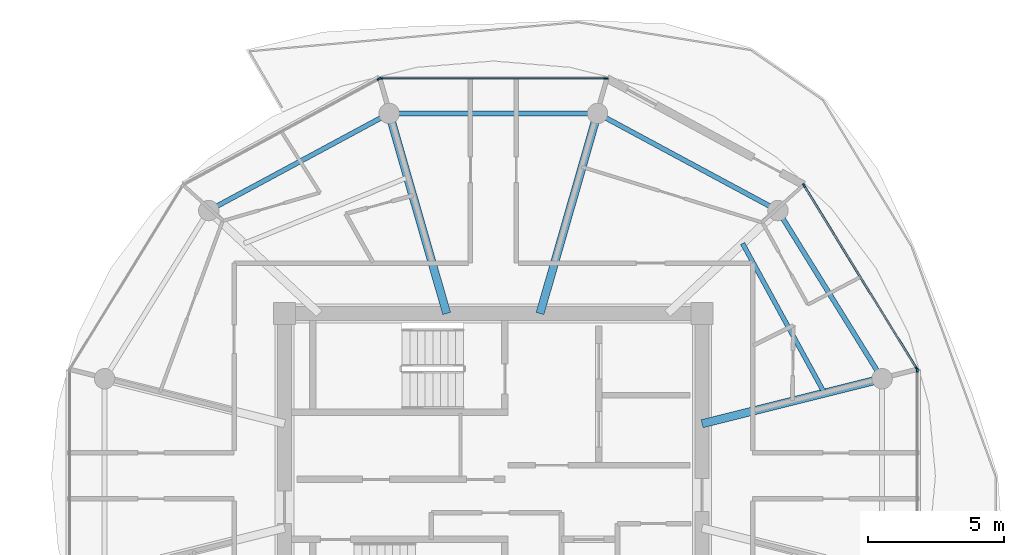
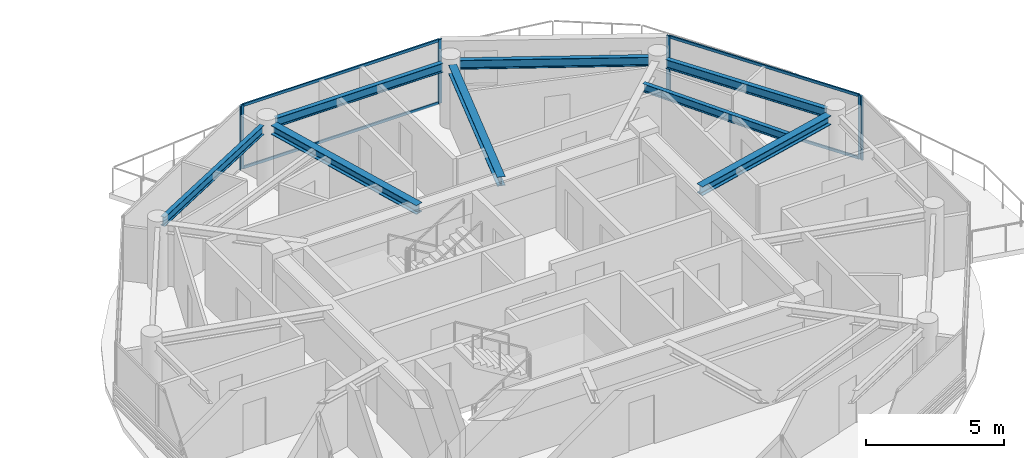
# One storey, part 7 of 19: 10 members, 8 beams, 4 elements without a shape of their own.
"""IFC4 building model written with IfcOpenShell, lengths in metres."""

from ifc_helpers import new_model, si_unit, direction, frame, origin, origin_2d, place, context, subcontext, project, spatial, rectangle, i_section, extrude, source, transform, mapped, material, layer, layer_set, material_profile, profile_set, type_object, type_shapes, element, aggregate, save


model = new_model("IFC4")

# Units and contexts
model_context = context("Model", 3, precision=1e-05, world=origin(), true_north=direction((0.0, 1.0)))
body_context = subcontext(model_context, "Body", "Model", "MODEL_VIEW")
ifc_project = project(units=[si_unit("LENGTHUNIT", "METRE"), si_unit("AREAUNIT", "SQUARE_METRE"), si_unit("VOLUMEUNIT", "CUBIC_METRE"), si_unit("PLANEANGLEUNIT", "RADIAN"), si_unit("MASSUNIT", "GRAM", prefix="KILO")], contexts=[model_context])

# Site, building, storey
site_placement = place(None, origin())
site = spatial("IfcSite", under=ifc_project, at=site_placement, CompositionType="ELEMENT")
building_placement = place(site_placement, origin())
building = spatial("IfcBuilding", under=site, at=building_placement, Name="Norrkilde Senior Care Towers", CompositionType="ELEMENT")
storey_placement = place(building_placement, frame((0.0, 0.0, 235.25)))
storey = spatial("IfcBuildingStorey", under=building, at=storey_placement, Name="L73", CompositionType="ELEMENT", Elevation=235.25)

# Beams
ifc_material_1 = material(Name="Steel S355", Category="steel")
ifc_material_profile_1 = material_profile(ifc_material_1, i_section(OverallWidth=0.179931640625, OverallDepth=0.39990234375, WebThickness=0.008544921875, FlangeThickness=0.013427734375, FilletRadius=0.02099609375, at=origin_2d()), Name="IPE 400")
ifc_profile_set_1 = profile_set([ifc_material_profile_1], Name="Steel S355")
beam_type_1 = type_object("IfcBeamType", Name="Perimeter Ring Spandrel Z4 IPE400", PredefinedType="SPANDREL", material=ifc_profile_set_1)
shared_shape_1 = source(origin(), body_context, "Body", "SweptSolid", [
    extrude(i_section(OverallWidth=0.179931640625, OverallDepth=0.39990234375, WebThickness=0.008544921875, FlangeThickness=0.013427734375, FilletRadius=0.02099609375, at=origin_2d()), origin(), (0.0, 0.0, 1.0), 6.58056640625),
])
beam_1_placement = place(storey_placement, frame((42.071044921875, 3.843505859375, 2.610107421875), z_axis=(-0.526529583789, 0.850156807533, 0.0), x_axis=(-0.850156807533, -0.526529583789, 0.0)))
element("IfcBeam", 1, at=beam_1_placement, inside=storey, type_object=beam_type_1, Name="L73 Drum E Perimeter Spandrel 01", PredefinedType="SPANDREL", context=body_context, shape_type="MappedRepresentation", body=[
    mapped(shared_shape_1, transform((0.0, 0.0, 0.0), x_axis=(1.0, 0.0, 0.0), y_axis=(0.0, 1.0, 0.0), z_axis=(0.0, 0.0, 1.0), scale=1.0)),
])
ifc_material_profile_2 = material_profile(ifc_material_1, i_section(OverallWidth=0.300048828125, OverallDepth=0.39990234375, WebThickness=0.013427734375, FlangeThickness=0.02392578125, FilletRadius=0.027099609375, at=origin_2d()), Name="HEB 400")
ifc_profile_set_2 = profile_set([ifc_material_profile_2], Name="Steel S355")
beam_type_2 = type_object("IfcBeamType", Name="Radial Floor Beam Z4 HEB400", PredefinedType="BEAM", material=ifc_profile_set_2)
shared_shape_2 = source(origin(), body_context, "Body", "SweptSolid", [
    extrude(i_section(OverallWidth=0.300048828125, OverallDepth=0.39990234375, WebThickness=0.013427734375, FlangeThickness=0.02392578125, FilletRadius=0.027099609375, at=origin_2d()), origin(), (0.0, 0.0, 1.0), 6.465087890625),
])
beam_2_placement = place(storey_placement, frame((35.64990234375, 1.910888671875, 2.610107421875), z_axis=(0.970195788563, 0.242322371758, 0.0), x_axis=(-0.242322371758, 0.970195788563, 0.0)))
element("IfcBeam", 2, at=beam_2_placement, inside=storey, type_object=beam_type_2, Name="L73 Drum E Radial Floor Beam 01", PredefinedType="BEAM", context=body_context, shape_type="MappedRepresentation", body=[
    mapped(shared_shape_2, transform((0.0, 0.0, 0.0), x_axis=(1.0, 0.0, 0.0), y_axis=(0.0, 1.0, 0.0), z_axis=(0.0, 0.0, 1.0), scale=1.0)),
])
shared_shape_3 = source(origin(), body_context, "Body", "SweptSolid", [
    extrude(i_section(OverallWidth=0.179931640625, OverallDepth=0.39990234375, WebThickness=0.008544921875, FlangeThickness=0.013427734375, FilletRadius=0.02099609375, at=origin_2d()), origin(), (0.0, 0.0, 1.0), 6.839111328125),
])
for number, where, z_axis, x_axis, name in (
    (3, (38.134765625, 9.881591796875, 2.610107421875), (-0.880563930732, 0.473927382511, 0.0), (-0.473927382511, -0.880563930732, 0.0), "L73 Drum E Perimeter Spandrel 02"),
    (4, (23.887451171875, 13.122802734375, 2.610107421875), (-0.880563930732, -0.473927382511, 0.0), (0.473927382511, -0.880563930732, 0.0), "L73 Drum E Perimeter Spandrel 04"),
):
    element("IfcBeam", number, at=place(storey_placement, frame(where, z_axis=z_axis, x_axis=x_axis)), inside=storey, type_object=beam_type_1, Name=name, PredefinedType="SPANDREL", context=body_context, shape_type="MappedRepresentation", body=[
        mapped(shared_shape_3, transform((0.0, 0.0, 0.0), x_axis=(1.0, 0.0, 0.0), y_axis=(0.0, 1.0, 0.0), z_axis=(0.0, 0.0, 1.0), scale=1.0)),
    ])
shared_shape_4 = source(origin(), body_context, "Body", "SweptSolid", [
    extrude(i_section(OverallWidth=0.179931640625, OverallDepth=0.39990234375, WebThickness=0.008544921875, FlangeThickness=0.013427734375, FilletRadius=0.02099609375, at=origin_2d()), origin(), (0.0, 0.0, 1.0), 6.96533203125),
])
type_shapes(beam_type_1, [shared_shape_1, shared_shape_3, shared_shape_4])
beam_3_placement = place(storey_placement, frame((31.482666015625, 13.281494140625, 2.610107421875), z_axis=(-1.0, 0.0, 0.0), x_axis=(0.0, -1.0, 0.0)))
element("IfcBeam", 5, at=beam_3_placement, inside=storey, type_object=beam_type_1, Name="L73 Drum E Perimeter Spandrel 03", PredefinedType="SPANDREL", context=body_context, shape_type="MappedRepresentation", body=[
    mapped(shared_shape_4, transform((0.0, 0.0, 0.0), x_axis=(1.0, 0.0, 0.0), y_axis=(0.0, 1.0, 0.0), z_axis=(0.0, 0.0, 1.0), scale=1.0)),
])
shared_shape_5 = source(origin(), body_context, "Body", "SweptSolid", [
    extrude(i_section(OverallWidth=0.300048828125, OverallDepth=0.39990234375, WebThickness=0.013427734375, FlangeThickness=0.02392578125, FilletRadius=0.027099609375, at=origin_2d()), origin(), (0.0, 0.0, 1.0), 7.29345703125),
])
type_shapes(beam_type_2, [shared_shape_2, shared_shape_5])
for number, where, z_axis, x_axis, name in (
    (6, (29.710205078125, 5.949951171875, 2.610107421875), (0.276263751906, 0.961081858836, 0.0), (-0.961081858836, 0.276263751906, 0.0), "L73 Drum E Radial Floor Beam 03"),
    (7, (26.289794921875, 5.949951171875, 2.610107421875), (-0.276263751906, 0.961081858836, 0.0), (-0.961081858836, -0.276263751906, 0.0), "L73 Drum E Radial Floor Beam 04"),
):
    element("IfcBeam", number, at=place(storey_placement, frame(where, z_axis=z_axis, x_axis=x_axis)), inside=storey, type_object=beam_type_2, Name=name, PredefinedType="BEAM", context=body_context, shape_type="MappedRepresentation", body=[
        mapped(shared_shape_5, transform((0.0, 0.0, 0.0), x_axis=(1.0, 0.0, 0.0), y_axis=(0.0, 1.0, 0.0), z_axis=(0.0, 0.0, 1.0), scale=1.0)),
    ])
ifc_material_profile_3 = material_profile(ifc_material_1, i_section(OverallWidth=0.169921875, OverallDepth=0.360107421875, WebThickness=0.008056640625, FlangeThickness=0.0126953125, FilletRadius=0.01806640625, at=origin_2d()), Name="IPE 360")
ifc_profile_set_3 = profile_set([ifc_material_profile_3], Name="Steel S355")
beam_type_3 = type_object("IfcBeamType", Name="Secondary Floor Joist IPE360", PredefinedType="JOIST", material=ifc_profile_set_3)
shared_shape_6 = source(origin(), body_context, "Body", "SweptSolid", [
    extrude(i_section(OverallWidth=0.169921875, OverallDepth=0.360107421875, WebThickness=0.008056640625, FlangeThickness=0.0126953125, FilletRadius=0.01806640625, at=origin_2d()), origin(), (0.0, 0.0, 1.0), 6.25146484375),
])
type_shapes(beam_type_3, [shared_shape_6])
beam_4_placement = place(storey_placement, frame((40.13623046875, 3.031494140625, 2.6298828125), z_axis=(-0.480115752653, 0.877205143655, 0.0), x_axis=(-0.877205143655, -0.480115752653, 0.0)))
element("IfcBeam", 8, at=beam_4_placement, inside=storey, type_object=beam_type_3, Name="L73 Drum E Secondary Floor Joist 1", PredefinedType="JOIST", context=body_context, shape_type="MappedRepresentation", body=[
    mapped(shared_shape_6, transform((0.0, 0.0, 0.0), x_axis=(1.0, 0.0, 0.0), y_axis=(0.0, 1.0, 0.0), z_axis=(0.0, 0.0, 1.0), scale=1.0)),
])

# Curtain wall, members
ifc_material_2 = material(Name="Triple Low-E Insulated Glazing", Category="glass")
ifc_layer = layer(ifc_material_2, 0.18505859375)
ifc_layer_set = layer_set([ifc_layer], Name="Triple Low-E Insulated Glazing")
curtain_wall_type = type_object("IfcCurtainWallType", Name="CW6 Zone 4 Crown Pavilion Curtain Wall", PredefinedType="NOTDEFINED", material=ifc_layer_set)
curtain_wall_1_placement = place(storey_placement, origin())
curtain_wall_1 = element("IfcCurtainWall", 9, at=curtain_wall_1_placement, inside=storey, type_object=curtain_wall_type, Name="L73 Drum E Curtain Wall 00", PredefinedType="NOTDEFINED")
ifc_material_3 = material(Name="Anodised Aluminium", Category="aluminium")
ifc_material_profile_4 = material_profile(ifc_material_3, rectangle(XDim=0.06494140625, YDim=0.14990234375, at=origin_2d()), Name="ALU MULL 65x150")
ifc_profile_set_4 = profile_set([ifc_material_profile_4], Name="Anodised Aluminium")
member_type_1 = type_object("IfcMemberType", Name="Curtain Wall Mullion Z3-Z4 65x150", PredefinedType="MULLION", material=ifc_profile_set_4)
shared_shape_7 = source(origin(), body_context, "Body", "SweptSolid", [
    extrude(rectangle(XDim=0.06494140625, YDim=0.14990234375, at=origin_2d()), origin(), (0.0, 0.0, 1.0), 2.81005859375),
])
type_shapes(member_type_1, [shared_shape_7])
member_1_placement = place(storey_placement, frame((39.38720703125, 10.635498046875, 0.0), z_axis=(0.0, 0.0, 1.0), x_axis=(0.851562727283, 0.524252726748, 0.0)))
member_1 = element("IfcMember", 10, at=member_1_placement, type_object=member_type_1, Name="CW-6 mullion 1", PredefinedType="MULLION", context=body_context, shape_type="MappedRepresentation", body=[
    mapped(shared_shape_7, transform((0.0, 0.0, 0.0), x_axis=(1.0, 0.0, 0.0), y_axis=(0.0, 1.0, 0.0), z_axis=(0.0, 0.0, 1.0), scale=1.0)),
])
member_2_placement = place(storey_placement, frame((43.51513671875, 3.9306640625, 0.0), z_axis=(0.0, 0.0, 1.0), x_axis=(0.851562727283, 0.524252726748, 0.0)))
member_2 = element("IfcMember", 11, at=member_2_placement, type_object=member_type_1, Name="CW-6 mullion 2", PredefinedType="MULLION", context=body_context, shape_type="MappedRepresentation", body=[
    mapped(shared_shape_7, transform((0.0, 0.0, 0.0), x_axis=(1.0, 0.0, 0.0), y_axis=(0.0, 1.0, 0.0), z_axis=(0.0, 0.0, 1.0), scale=1.0)),
])

curtain_wall_2_placement = place(storey_placement, origin())
curtain_wall_2 = element("IfcCurtainWall", 12, at=curtain_wall_2_placement, inside=storey, type_object=curtain_wall_type, Name="L73 Drum E Curtain Wall 02", PredefinedType="NOTDEFINED")
member_3_placement = place(storey_placement, frame((23.87060546875, 14.566162109375, 0.0), z_axis=(0.0, 0.0, 1.0), x_axis=(0.0, 1.0, 0.0)))
member_3 = element("IfcMember", 13, at=member_3_placement, type_object=member_type_1, Name="CW-6 mullion 1", PredefinedType="MULLION", context=body_context, shape_type="MappedRepresentation", body=[
    mapped(shared_shape_7, transform((0.0, 0.0, 0.0), x_axis=(1.0, 0.0, 0.0), y_axis=(0.0, 1.0, 0.0), z_axis=(0.0, 0.0, 1.0), scale=1.0)),
])
member_4_placement = place(storey_placement, frame((32.12939453125, 14.566162109375, 0.0), z_axis=(0.0, 0.0, 1.0), x_axis=(0.0, 1.0, 0.0)))
member_4 = element("IfcMember", 14, at=member_4_placement, type_object=member_type_1, Name="CW-6 mullion 2", PredefinedType="MULLION", context=body_context, shape_type="MappedRepresentation", body=[
    mapped(shared_shape_7, transform((0.0, 0.0, 0.0), x_axis=(1.0, 0.0, 0.0), y_axis=(0.0, 1.0, 0.0), z_axis=(0.0, 0.0, 1.0), scale=1.0)),
])

# Curtain wall, member
curtain_wall_3_placement = place(storey_placement, origin())
curtain_wall_3 = element("IfcCurtainWall", 15, at=curtain_wall_3_placement, inside=storey, type_object=curtain_wall_type, Name="L73 Drum E Curtain Wall 03", PredefinedType="NOTDEFINED")
member_5_placement = place(storey_placement, frame((23.8095703125, 14.55078125, 0.0), z_axis=(0.0, 0.0, 1.0), x_axis=(-0.476132676136, 0.879373455772, 0.0)))
member_5 = element("IfcMember", 16, at=member_5_placement, type_object=member_type_1, Name="CW-6 mullion 2", PredefinedType="MULLION", context=body_context, shape_type="MappedRepresentation", body=[
    mapped(shared_shape_7, transform((0.0, 0.0, 0.0), x_axis=(1.0, 0.0, 0.0), y_axis=(0.0, 1.0, 0.0), z_axis=(0.0, 0.0, 1.0), scale=1.0)),
])
aggregate(curtain_wall_3, [member_5])

curtain_wall_4_placement = place(storey_placement, origin())
curtain_wall_4 = element("IfcCurtainWall", 17, at=curtain_wall_4_placement, inside=storey, type_object=curtain_wall_type, Name="L73 Drum E Curtain Wall 11", PredefinedType="NOTDEFINED")
member_6_placement = place(storey_placement, frame((43.531982421875, 3.87060546875, 0.0), z_axis=(0.0, 0.0, 1.0), x_axis=(1.0, 0.0, 0.0)))
member_6 = element("IfcMember", 18, at=member_6_placement, type_object=member_type_1, Name="CW-6 mullion 1", PredefinedType="MULLION", context=body_context, shape_type="MappedRepresentation", body=[
    mapped(shared_shape_7, transform((0.0, 0.0, 0.0), x_axis=(1.0, 0.0, 0.0), y_axis=(0.0, 1.0, 0.0), z_axis=(0.0, 0.0, 1.0), scale=1.0)),
])
aggregate(curtain_wall_4, [member_6])

# Member
ifc_material_profile_5 = material_profile(ifc_material_3, rectangle(XDim=0.06005859375, YDim=0.1201171875, at=origin_2d()), Name="ALU TRAN 60x120")
ifc_profile_set_5 = profile_set([ifc_material_profile_5], Name="Anodised Aluminium")
member_type_2 = type_object("IfcMemberType", Name="Curtain Wall Transom Typical 60x120", PredefinedType="USERDEFINED", material=ifc_profile_set_5)
shared_shape_8 = source(origin(), body_context, "Body", "SweptSolid", [
    extrude(rectangle(XDim=0.06005859375, YDim=0.1201171875, at=origin_2d()), origin(), (0.0, 0.0, 1.0), 7.808837890625),
])
member_7_placement = place(storey_placement, frame((39.404296875, 10.60791015625, 0.030029296875), z_axis=(0.524250924101, -0.851563837055, 0.0), x_axis=(0.851563837055, 0.524250924101, 0.0)))
member_7 = element("IfcMember", 19, at=member_7_placement, type_object=member_type_2, Name="CW-6 transom 1.1", ObjectType="TRANSOM", PredefinedType="USERDEFINED", context=body_context, shape_type="MappedRepresentation", body=[
    mapped(shared_shape_8, transform((0.0, 0.0, 0.0), x_axis=(1.0, 0.0, 0.0), y_axis=(0.0, 1.0, 0.0), z_axis=(0.0, 0.0, 1.0), scale=1.0)),
])

member_8_placement = place(storey_placement, frame((39.404296875, 10.60791015625, 2.780029296875), z_axis=(0.524250924101, -0.851563837055, 0.0), x_axis=(0.851563837055, 0.524250924101, 0.0)))
member_8 = element("IfcMember", 20, at=member_8_placement, type_object=member_type_2, Name="CW-6 transom 1.2", ObjectType="TRANSOM", PredefinedType="USERDEFINED", context=body_context, shape_type="MappedRepresentation", body=[
    mapped(shared_shape_8, transform((0.0, 0.0, 0.0), x_axis=(1.0, 0.0, 0.0), y_axis=(0.0, 1.0, 0.0), z_axis=(0.0, 0.0, 1.0), scale=1.0)),
])

aggregate(curtain_wall_1, [member_1, member_2, member_7, member_8])

shared_shape_9 = source(origin(), body_context, "Body", "SweptSolid", [
    extrude(rectangle(XDim=0.06005859375, YDim=0.1201171875, at=origin_2d()), origin(), (0.0, 0.0, 1.0), 8.19384765625),
])
type_shapes(member_type_2, [shared_shape_8, shared_shape_9])
member_9_placement = place(storey_placement, frame((23.903076171875, 14.566162109375, 0.030029296875), z_axis=(1.0, 0.0, 0.0), x_axis=(0.0, 1.0, 0.0)))
member_9 = element("IfcMember", 21, at=member_9_placement, type_object=member_type_2, Name="CW-6 transom 1.1", ObjectType="TRANSOM", PredefinedType="USERDEFINED", context=body_context, shape_type="MappedRepresentation", body=[
    mapped(shared_shape_9, transform((0.0, 0.0, 0.0), x_axis=(1.0, 0.0, 0.0), y_axis=(0.0, 1.0, 0.0), z_axis=(0.0, 0.0, 1.0), scale=1.0)),
])

member_10_placement = place(storey_placement, frame((23.903076171875, 14.566162109375, 2.780029296875), z_axis=(1.0, 0.0, 0.0), x_axis=(0.0, 1.0, 0.0)))
member_10 = element("IfcMember", 22, at=member_10_placement, type_object=member_type_2, Name="CW-6 transom 1.2", ObjectType="TRANSOM", PredefinedType="USERDEFINED", context=body_context, shape_type="MappedRepresentation", body=[
    mapped(shared_shape_9, transform((0.0, 0.0, 0.0), x_axis=(1.0, 0.0, 0.0), y_axis=(0.0, 1.0, 0.0), z_axis=(0.0, 0.0, 1.0), scale=1.0)),
])

aggregate(curtain_wall_2, [member_3, member_4, member_9, member_10])

save(model, "model.ifc")
